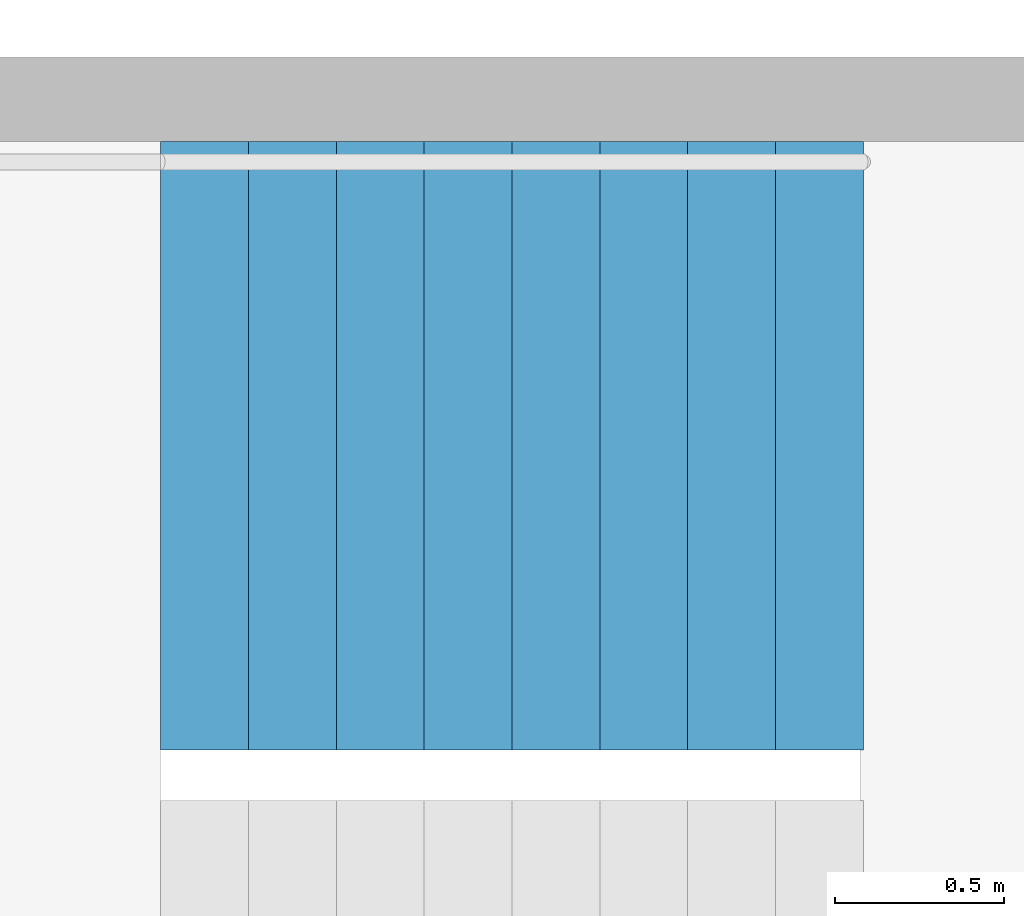
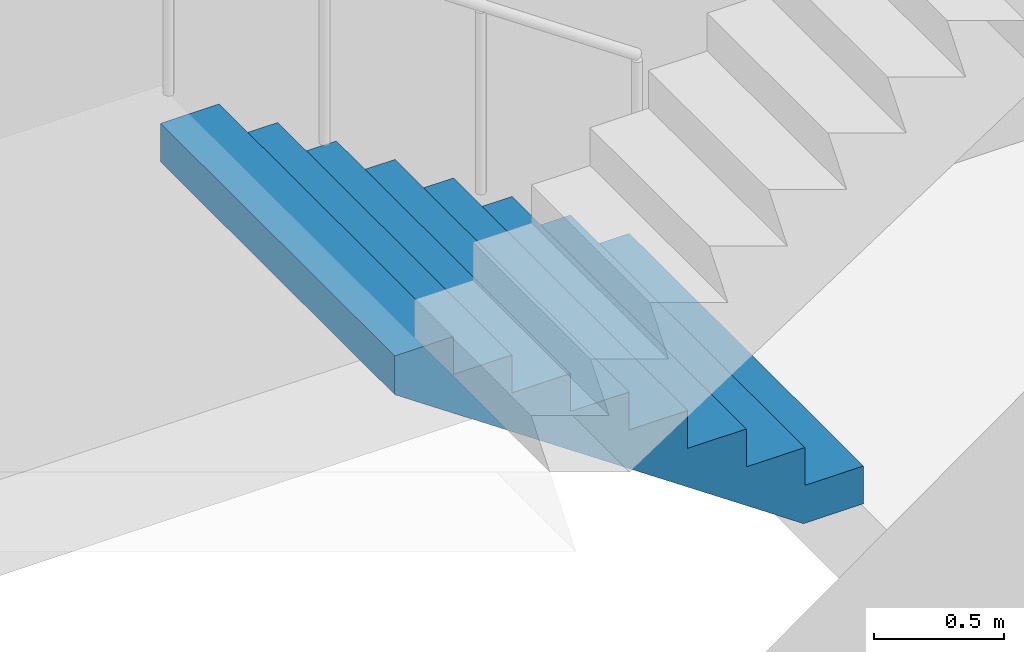
# One storey, part 19 of 26: 1 stair flight, 1 element without a shape of its own.
"""IFC4 building model written with IfcOpenShell, lengths in metres."""

import ifcopenshell
import ifcopenshell.guid

model = None  # the IFC model being written
_history = None  # IfcOwnerHistory: only IFC2X3 demands one
_inside = {}  # id of a spatial element -> (the spatial element, [elements in it])
_under = {}  # id of a project, library or spatial element -> (it, [spatial elements below it])
_declared = {}  # id of a project -> (the project, [libraries it declares])
_typed = {}  # id of a type object -> (the type object, [elements of that type])
_made_of = {}  # id of a material, layer set ... -> (it, [elements and type objects made of it])


def new_model(schema):
    """Start an empty IFC model of exactly this schema.

    Asked for "IFC4X3", IfcOpenShell would pick the latest addendum, in which some entities
    have other attributes; the version numbers below select the first issue.
    IFC2X3 requires an IfcOwnerHistory on every rooted entity: one is made here for all.
    """
    global model, _history
    if schema == "IFC4X3":
        model = ifcopenshell.file(schema_version=(4, 3, 0, 0))
    else:
        model = ifcopenshell.file(schema=schema)
    _inside.clear()
    _under.clear()
    _declared.clear()
    _typed.clear()
    _made_of.clear()
    _history = None
    if model.schema == "IFC2X3":
        org = make("IfcOrganization", Name="unknown")
        user = make(
            "IfcPersonAndOrganization",
            ThePerson=make("IfcPerson", FamilyName="unknown"),
            TheOrganization=org,
        )
        app = make(
            "IfcApplication",
            ApplicationDeveloper=org,
            Version="unknown",
            ApplicationFullName="unknown",
            ApplicationIdentifier="unknown",
        )
        _history = make(
            "IfcOwnerHistory",
            OwningUser=user,
            OwningApplication=app,
            ChangeAction="ADDED",
            CreationDate=0,
        )
    return model


def make(cls, **values):
    """One entity of the class cls with the attributes given. An attribute that is None is left unset."""
    return model.create_entity(
        cls, **{name: value for name, value in values.items() if value is not None}
    )


def rooted(cls, **values):
    """An entity with a GlobalId (a new one), such as an element, a storey or a relation."""
    return make(cls, GlobalId=ifcopenshell.guid.new(), OwnerHistory=_history, **values)


def si_unit(unit_type, name, prefix=None):
    """IfcSIUnit, for example si_unit("LENGTHUNIT", "METRE", prefix="MILLI")."""
    return make("IfcSIUnit", UnitType=unit_type, Prefix=prefix, Name=name)


def assignment(units):
    """IfcUnitAssignment: the units of a project."""
    return None if units is None else make("IfcUnitAssignment", Units=units)


def point(xyz):
    """IfcCartesianPoint."""
    return None if xyz is None else make("IfcCartesianPoint", Coordinates=xyz)


def direction(xyz):
    """IfcDirection."""
    return None if xyz is None else make("IfcDirection", DirectionRatios=xyz)


def frame(location, z_axis=None, x_axis=None):
    """IfcAxis2Placement3D, a coordinate frame: its origin and axes. An axis left out is left unset."""
    return make(
        "IfcAxis2Placement3D",
        Location=point(location),
        Axis=direction(z_axis),
        RefDirection=direction(x_axis),
    )


def origin():
    """The frame at (0, 0, 0) with its axes left unset."""
    return frame((0.0, 0.0, 0.0))


def place(relative_to, where):
    """IfcLocalPlacement: puts the frame where relative to a parent placement (None: the world)."""
    return make(
        "IfcLocalPlacement", PlacementRelTo=relative_to, RelativePlacement=where
    )


def context(
    kind, dimensions, precision=None, world=None, true_north=None, identifier=None
):
    """IfcGeometricRepresentationContext, for example the 3D "Model" context."""
    return make(
        "IfcGeometricRepresentationContext",
        ContextIdentifier=identifier,
        ContextType=kind,
        CoordinateSpaceDimension=dimensions,
        Precision=precision,
        WorldCoordinateSystem=world,
        TrueNorth=true_north,
    )


def subcontext(parent, identifier, kind, view, scale=None):
    """IfcGeometricRepresentationSubContext, for example "Body" below "Model"."""
    return make(
        "IfcGeometricRepresentationSubContext",
        ContextIdentifier=identifier,
        ContextType=kind,
        ParentContext=parent,
        TargetScale=scale,
        TargetView=view,
    )


def project(units=None, contexts=None):
    """IfcProject with its units and contexts."""
    return rooted(
        "IfcProject",
        Name="project",
        RepresentationContexts=contexts,
        UnitsInContext=assignment(units),
    )


def spatial(cls, under=None, at=None, **own):
    """A site, building, storey or space (cls), placed at a placement, below another one or the project."""
    s = rooted(cls, ObjectPlacement=at, **own)
    if under is not None:
        _under.setdefault(under.id(), (under, []))[1].append(s)
    return s


def point_list(points):
    """IfcCartesianPointList2D or 3D."""
    cls = (
        "IfcCartesianPointList2D" if len(points[0]) == 2 else "IfcCartesianPointList3D"
    )
    return make(cls, CoordList=points)


def triangles(points, corners, closed=None, point_numbers=None):
    """IfcTriangulatedFaceSet: each triangle names its three corners, points numbered from 1."""
    return make(
        "IfcTriangulatedFaceSet",
        Coordinates=point_list(points),
        Closed=closed,
        CoordIndex=corners,
        PnIndex=point_numbers,
    )


def shape(context_of_items, identifier, shape_type, items):
    """IfcShapeRepresentation: the items that make up one representation, for example the "Body"."""
    return make(
        "IfcShapeRepresentation",
        ContextOfItems=context_of_items,
        RepresentationIdentifier=identifier,
        RepresentationType=shape_type,
        Items=items,
    )


def material(Name=None, Category=None):
    """IfcMaterial."""
    return make("IfcMaterial", Name=Name, Category=Category)


def made_of(thing, what):
    """Note that an element or type object is made of a material, layer set ...; save() writes the relation."""
    if what is not None:
        _made_of.setdefault(what.id(), (what, []))[1].append(thing)
    return thing


def type_object(cls, material=None, **own):
    """A type object (cls), such as IfcWallType, which elements share."""
    return made_of(rooted(cls, **own), material)


def element(
    cls,
    number,
    at=None,
    inside=None,
    cuts=None,
    type_object=None,
    material=None,
    context=None,
    identifier="Body",
    shape_type=None,
    held_by="IfcProductDefinitionShape",
    body=None,
    shapes=None,
    **own,
):
    """One element of the class cls, such as IfcWall. Its Tag is "e" and its number.

    at: its placement. inside: the storey or other place that contains it. cuts: it is an
    opening in that element (IfcRelVoidsElement). A single representation is given by context,
    identifier, shape_type and body (its items); several are given by shapes. held_by: the class
    of the entity that holds the representations. save() writes the other relations.
    """
    e = rooted(cls, Tag="e%d" % number, ObjectPlacement=at, **own)
    if body is not None:
        shapes = [shape(context, identifier, shape_type, body)]
    if shapes is not None:
        e.Representation = make(held_by, Representations=shapes)
    if inside is not None:
        _inside.setdefault(inside.id(), (inside, []))[1].append(e)
    if cuts is not None:
        rooted(
            "IfcRelVoidsElement", RelatingBuildingElement=cuts, RelatedOpeningElement=e
        )
    if type_object is not None:
        _typed.setdefault(type_object.id(), (type_object, []))[1].append(e)
    return made_of(e, material)


def aggregate(whole, parts):
    """IfcRelAggregates: a whole, such as a stair, and the parts it consists of."""
    return rooted("IfcRelAggregates", RelatingObject=whole, RelatedObjects=parts)


def save(model, path):
    """Write the relations noted so far, then the file.

    IfcRelAggregates (storeys below a building ...), IfcRelContainedInSpatialStructure (elements
    in a storey), IfcRelDefinesByType, IfcRelAssociatesMaterial and IfcRelDeclares: one each for
    every whole, place, type object, material and project.
    """
    for whole, parts in _under.values():
        aggregate(whole, parts)
    for where, things in _inside.values():
        rooted(
            "IfcRelContainedInSpatialStructure",
            RelatedElements=things,
            RelatingStructure=where,
        )
    for kind, things in _typed.values():
        rooted("IfcRelDefinesByType", RelatedObjects=things, RelatingType=kind)
    for what, things in _made_of.values():
        rooted("IfcRelAssociatesMaterial", RelatedObjects=things, RelatingMaterial=what)
    for by, libraries in _declared.values():
        rooted("IfcRelDeclares", RelatingContext=by, RelatedDefinitions=libraries)
    model.write(path)


model = new_model("IFC4")

# Units and contexts
model_context = context("Model", 3, precision=1e-05, world=origin(), true_north=direction((0.0, 1.0)))
body_context = subcontext(model_context, "Body", "Model", "MODEL_VIEW")
ifc_project = project(units=[si_unit("LENGTHUNIT", "METRE"), si_unit("AREAUNIT", "SQUARE_METRE"), si_unit("VOLUMEUNIT", "CUBIC_METRE"), si_unit("PLANEANGLEUNIT", "RADIAN"), si_unit("MASSUNIT", "GRAM", prefix="KILO")], contexts=[model_context])

# Site, building, storey
site_placement = place(None, origin())
site = spatial("IfcSite", under=ifc_project, at=site_placement, CompositionType="ELEMENT")
building_placement = place(site_placement, origin())
building = spatial("IfcBuilding", under=site, at=building_placement, Name="Hakoniwa Tower and Hamabe Station Hall", CompositionType="ELEMENT")
storey_placement = place(building_placement, frame((0.0, 0.0, 215.39990234375)))
storey = spatial("IfcBuildingStorey", under=building, at=storey_placement, Name="L61", CompositionType="ELEMENT", Elevation=215.39990234375)

# Stair, stair flight
ifc_material_1 = material(Name="Concrete C40", Category="concrete")
stair_type = type_object("IfcStairType", Name="ESCAPE STAIR 1800", PredefinedType="HALF_TURN_STAIR", material=ifc_material_1)
stair_placement = place(storey_placement, origin())
stair = element("IfcStair", 1, at=stair_placement, inside=storey, type_object=stair_type, Name="Escape stair ST-2 L61", PredefinedType="HALF_TURN_STAIR")
ifc_material_2 = material(Name="Concrete C40", Category="concrete")
stair_flight_type = type_object("IfcStairFlightType", Name="STAIR FLIGHT 1800", PredefinedType="STRAIGHT", material=ifc_material_2)
stair_flight_placement = place(storey_placement, frame((-23.39990234375, -4.64990234375, 0.0), z_axis=(0.0, 0.0, 1.0), x_axis=(-1.0, 0.0, 0.0)))
stair_flight = element("IfcStairFlight", 2, at=stair_flight_placement, type_object=stair_flight_type, Name="ST-2 flight 1", NumberOfRisers=9, NumberOfTreads=8, PredefinedType="STRAIGHT", RiserHeight=0.177777778, TreadLength=0.26, context=body_context, shape_type="Tessellation", body=[
    triangles([(0.0, 0.89990234375, 0.0), (0.260009765625, 0.89990234375, 0.0), (0.265625, 0.89990234375, 0.0), (0.52001953125, 0.89990234375, 0.174072265625), (0.780029296875, 0.89990234375, 0.351806640625), (1.0400390625, 0.89990234375, 0.529541015625), (1.300048828125, 0.89990234375, 0.707275390625), (1.56005859375, 0.89990234375, 0.885009765625), (1.820068359375, 0.89990234375, 1.062744140625), (2.080078125, 0.89990234375, 1.24072265625), (2.080078125, 0.89990234375, 1.422119140625), (1.820068359375, 0.89990234375, 1.422119140625), (1.820068359375, 0.89990234375, 1.244384765625), (1.56005859375, 0.89990234375, 1.244384765625), (1.56005859375, 0.89990234375, 1.066650390625), (1.300048828125, 0.89990234375, 1.066650390625), (1.300048828125, 0.89990234375, 0.888916015625), (1.0400390625, 0.89990234375, 0.888916015625), (1.0400390625, 0.89990234375, 0.711181640625), (0.780029296875, 0.89990234375, 0.711181640625), (0.780029296875, 0.89990234375, 0.533447265625), (0.52001953125, 0.89990234375, 0.533447265625), (0.52001953125, 0.89990234375, 0.35546875), (0.265625, 0.89990234375, 0.35546875), (0.260009765625, 0.89990234375, 0.35546875), (0.260009765625, 0.89990234375, 0.177734375), (0.0, 0.89990234375, 0.177734375), (0.0, 0.06005859375, 0.0), (0.260009765625, 0.06005859375, 0.0), (0.265625, 0.06005859375, 0.0), (0.52001953125, 0.06005859375, 0.174072265625), (0.780029296875, 0.06005859375, 0.351806640625), (1.0400390625, 0.06005859375, 0.529541015625), (1.300048828125, 0.06005859375, 0.707275390625), (1.56005859375, 0.06005859375, 0.885009765625), (1.820068359375, 0.06005859375, 1.062744140625), (2.080078125, 0.06005859375, 1.24072265625), (2.080078125, 0.06005859375, 1.422119140625), (1.820068359375, 0.06005859375, 1.422119140625), (1.820068359375, 0.06005859375, 1.244384765625), (1.56005859375, 0.06005859375, 1.244384765625), (1.56005859375, 0.06005859375, 1.066650390625), (1.300048828125, 0.06005859375, 1.066650390625), (1.300048828125, 0.06005859375, 0.888916015625), (1.0400390625, 0.06005859375, 0.888916015625), (1.0400390625, 0.06005859375, 0.711181640625), (0.780029296875, 0.06005859375, 0.711181640625), (0.780029296875, 0.06005859375, 0.533447265625), (0.52001953125, 0.06005859375, 0.533447265625), (0.52001953125, 0.06005859375, 0.35546875), (0.265625, 0.06005859375, 0.35546875), (0.260009765625, 0.06005859375, 0.35546875), (0.260009765625, 0.06005859375, 0.177734375), (0.0, 0.06005859375, 0.177734375), (0.0, 0.04296875, 0.0), (0.260009765625, 0.04296875, 0.0), (0.265625, 0.04296875, 0.0), (0.52001953125, 0.04296875, 0.174072265625), (0.780029296875, 0.04296875, 0.351806640625), (1.0400390625, 0.04296875, 0.529541015625), (1.300048828125, 0.04296875, 0.707275390625), (1.56005859375, 0.04296875, 0.885009765625), (1.820068359375, 0.04296875, 1.062744140625), (2.080078125, 0.04296875, 1.24072265625), (2.080078125, 0.04296875, 1.422119140625), (1.820068359375, 0.04296875, 1.422119140625), (1.820068359375, 0.04296875, 1.244384765625), (1.56005859375, 0.04296875, 1.244384765625), (1.56005859375, 0.04296875, 1.066650390625), (1.300048828125, 0.04296875, 1.066650390625), (1.300048828125, 0.04296875, 0.888916015625), (1.0400390625, 0.04296875, 0.888916015625), (1.0400390625, 0.04296875, 0.711181640625), (0.780029296875, 0.04296875, 0.711181640625), (0.780029296875, 0.04296875, 0.533447265625), (0.52001953125, 0.04296875, 0.533447265625), (0.52001953125, 0.04296875, 0.35546875), (0.265625, 0.04296875, 0.35546875), (0.260009765625, 0.04296875, 0.35546875), (0.260009765625, 0.04296875, 0.177734375), (0.0, 0.04296875, 0.177734375), (0.0, 0.025634765625, 0.0), (0.260009765625, 0.025634765625, 0.0), (0.265625, 0.025634765625, 0.0), (0.52001953125, 0.025634765625, 0.174072265625), (0.780029296875, 0.025634765625, 0.351806640625), (1.0400390625, 0.025634765625, 0.529541015625), (1.300048828125, 0.025634765625, 0.707275390625), (1.56005859375, 0.025634765625, 0.885009765625), (1.820068359375, 0.025634765625, 1.062744140625), (2.080078125, 0.025634765625, 1.24072265625), (2.080078125, 0.025634765625, 1.422119140625), (1.820068359375, 0.025634765625, 1.422119140625), (1.820068359375, 0.025634765625, 1.244384765625), (1.56005859375, 0.025634765625, 1.244384765625), (1.56005859375, 0.025634765625, 1.066650390625), (1.300048828125, 0.025634765625, 1.066650390625), (1.300048828125, 0.025634765625, 0.888916015625), (1.0400390625, 0.025634765625, 0.888916015625), (1.0400390625, 0.025634765625, 0.711181640625), (0.780029296875, 0.025634765625, 0.711181640625), (0.780029296875, 0.025634765625, 0.533447265625), (0.52001953125, 0.025634765625, 0.533447265625), (0.52001953125, 0.025634765625, 0.35546875), (0.265625, 0.025634765625, 0.35546875), (0.260009765625, 0.025634765625, 0.35546875), (0.260009765625, 0.025634765625, 0.177734375), (0.0, 0.025634765625, 0.177734375), (0.0, 0.008544921875, 0.0), (0.260009765625, 0.008544921875, 0.0), (0.265625, 0.008544921875, 0.0), (0.52001953125, 0.008544921875, 0.174072265625), (0.780029296875, 0.008544921875, 0.351806640625), (1.0400390625, 0.008544921875, 0.529541015625), (1.300048828125, 0.008544921875, 0.707275390625), (1.56005859375, 0.008544921875, 0.885009765625), (1.820068359375, 0.008544921875, 1.062744140625), (2.080078125, 0.008544921875, 1.24072265625), (2.080078125, 0.008544921875, 1.422119140625), (1.820068359375, 0.008544921875, 1.422119140625), (1.820068359375, 0.008544921875, 1.244384765625), (1.56005859375, 0.008544921875, 1.244384765625), (1.56005859375, 0.008544921875, 1.066650390625), (1.300048828125, 0.008544921875, 1.066650390625), (1.300048828125, 0.008544921875, 0.888916015625), (1.0400390625, 0.008544921875, 0.888916015625), (1.0400390625, 0.008544921875, 0.711181640625), (0.780029296875, 0.008544921875, 0.711181640625), (0.780029296875, 0.008544921875, 0.533447265625), (0.52001953125, 0.008544921875, 0.533447265625), (0.52001953125, 0.008544921875, 0.35546875), (0.265625, 0.008544921875, 0.35546875), (0.260009765625, 0.008544921875, 0.35546875), (0.260009765625, 0.008544921875, 0.177734375), (0.0, 0.008544921875, 0.177734375), (0.0, -0.008544921875, 0.0), (0.260009765625, -0.008544921875, 0.0), (0.265625, -0.008544921875, 0.0), (0.52001953125, -0.008544921875, 0.174072265625), (0.780029296875, -0.008544921875, 0.351806640625), (1.0400390625, -0.008544921875, 0.529541015625), (1.300048828125, -0.008544921875, 0.707275390625), (1.56005859375, -0.008544921875, 0.885009765625), (1.820068359375, -0.008544921875, 1.062744140625), (2.080078125, -0.008544921875, 1.24072265625), (2.080078125, -0.008544921875, 1.422119140625), (1.820068359375, -0.008544921875, 1.422119140625), (1.820068359375, -0.008544921875, 1.244384765625), (1.56005859375, -0.008544921875, 1.244384765625), (1.56005859375, -0.008544921875, 1.066650390625), (1.300048828125, -0.008544921875, 1.066650390625), (1.300048828125, -0.008544921875, 0.888916015625), (1.0400390625, -0.008544921875, 0.888916015625), (1.0400390625, -0.008544921875, 0.711181640625), (0.780029296875, -0.008544921875, 0.711181640625), (0.780029296875, -0.008544921875, 0.533447265625), (0.52001953125, -0.008544921875, 0.533447265625), (0.52001953125, -0.008544921875, 0.35546875), (0.265625, -0.008544921875, 0.35546875), (0.260009765625, -0.008544921875, 0.35546875), (0.260009765625, -0.008544921875, 0.177734375), (0.0, -0.008544921875, 0.177734375), (0.0, -0.025634765625, 0.0), (0.260009765625, -0.025634765625, 0.0), (0.265625, -0.025634765625, 0.0), (0.52001953125, -0.025634765625, 0.174072265625), (0.780029296875, -0.025634765625, 0.351806640625), (1.0400390625, -0.025634765625, 0.529541015625), (1.300048828125, -0.025634765625, 0.707275390625), (1.56005859375, -0.025634765625, 0.885009765625), (1.820068359375, -0.025634765625, 1.062744140625), (2.080078125, -0.025634765625, 1.24072265625), (2.080078125, -0.025634765625, 1.422119140625), (1.820068359375, -0.025634765625, 1.422119140625), (1.820068359375, -0.025634765625, 1.244384765625), (1.56005859375, -0.025634765625, 1.244384765625), (1.56005859375, -0.025634765625, 1.066650390625), (1.300048828125, -0.025634765625, 1.066650390625), (1.300048828125, -0.025634765625, 0.888916015625), (1.0400390625, -0.025634765625, 0.888916015625), (1.0400390625, -0.025634765625, 0.711181640625), (0.780029296875, -0.025634765625, 0.711181640625), (0.780029296875, -0.025634765625, 0.533447265625), (0.52001953125, -0.025634765625, 0.533447265625), (0.52001953125, -0.025634765625, 0.35546875), (0.265625, -0.025634765625, 0.35546875), (0.260009765625, -0.025634765625, 0.35546875), (0.260009765625, -0.025634765625, 0.177734375), (0.0, -0.025634765625, 0.177734375), (0.0, -0.04296875, 0.0), (0.260009765625, -0.04296875, 0.0), (0.265625, -0.04296875, 0.0), (0.52001953125, -0.04296875, 0.174072265625), (0.780029296875, -0.04296875, 0.351806640625), (1.0400390625, -0.04296875, 0.529541015625), (1.300048828125, -0.04296875, 0.707275390625), (1.56005859375, -0.04296875, 0.885009765625), (1.820068359375, -0.04296875, 1.062744140625), (2.080078125, -0.04296875, 1.24072265625), (2.080078125, -0.04296875, 1.422119140625), (1.820068359375, -0.04296875, 1.422119140625), (1.820068359375, -0.04296875, 1.244384765625), (1.56005859375, -0.04296875, 1.244384765625), (1.56005859375, -0.04296875, 1.066650390625), (1.300048828125, -0.04296875, 1.066650390625), (1.300048828125, -0.04296875, 0.888916015625), (1.0400390625, -0.04296875, 0.888916015625), (1.0400390625, -0.04296875, 0.711181640625), (0.780029296875, -0.04296875, 0.711181640625), (0.780029296875, -0.04296875, 0.533447265625), (0.52001953125, -0.04296875, 0.533447265625), (0.52001953125, -0.04296875, 0.35546875), (0.265625, -0.04296875, 0.35546875), (0.260009765625, -0.04296875, 0.35546875), (0.260009765625, -0.04296875, 0.177734375), (0.0, -0.04296875, 0.177734375), (0.0, -0.06005859375, 0.0), (0.260009765625, -0.06005859375, 0.0), (0.265625, -0.06005859375, 0.0), (0.52001953125, -0.06005859375, 0.174072265625), (0.780029296875, -0.06005859375, 0.351806640625), (1.0400390625, -0.06005859375, 0.529541015625), (1.300048828125, -0.06005859375, 0.707275390625), (1.56005859375, -0.06005859375, 0.885009765625), (1.820068359375, -0.06005859375, 1.062744140625), (2.080078125, -0.06005859375, 1.24072265625), (2.080078125, -0.06005859375, 1.422119140625), (1.820068359375, -0.06005859375, 1.422119140625), (1.820068359375, -0.06005859375, 1.244384765625), (1.56005859375, -0.06005859375, 1.244384765625), (1.56005859375, -0.06005859375, 1.066650390625), (1.300048828125, -0.06005859375, 1.066650390625), (1.300048828125, -0.06005859375, 0.888916015625), (1.0400390625, -0.06005859375, 0.888916015625), (1.0400390625, -0.06005859375, 0.711181640625), (0.780029296875, -0.06005859375, 0.711181640625), (0.780029296875, -0.06005859375, 0.533447265625), (0.52001953125, -0.06005859375, 0.533447265625), (0.52001953125, -0.06005859375, 0.35546875), (0.265625, -0.06005859375, 0.35546875), (0.260009765625, -0.06005859375, 0.35546875), (0.260009765625, -0.06005859375, 0.177734375), (0.0, -0.06005859375, 0.177734375), (0.0, -0.89990234375, 0.0), (0.260009765625, -0.89990234375, 0.0), (0.265625, -0.89990234375, 0.0), (0.52001953125, -0.89990234375, 0.174072265625), (0.780029296875, -0.89990234375, 0.351806640625), (1.0400390625, -0.89990234375, 0.529541015625), (1.300048828125, -0.89990234375, 0.707275390625), (1.56005859375, -0.89990234375, 0.885009765625), (1.820068359375, -0.89990234375, 1.062744140625), (2.080078125, -0.89990234375, 1.24072265625), (2.080078125, -0.89990234375, 1.422119140625), (1.820068359375, -0.89990234375, 1.422119140625), (1.820068359375, -0.89990234375, 1.244384765625), (1.56005859375, -0.89990234375, 1.244384765625), (1.56005859375, -0.89990234375, 1.066650390625), (1.300048828125, -0.89990234375, 1.066650390625), (1.300048828125, -0.89990234375, 0.888916015625), (1.0400390625, -0.89990234375, 0.888916015625), (1.0400390625, -0.89990234375, 0.711181640625), (0.780029296875, -0.89990234375, 0.711181640625), (0.780029296875, -0.89990234375, 0.533447265625), (0.52001953125, -0.89990234375, 0.533447265625), (0.52001953125, -0.89990234375, 0.35546875), (0.265625, -0.89990234375, 0.35546875), (0.260009765625, -0.89990234375, 0.35546875), (0.260009765625, -0.89990234375, 0.177734375), (0.0, -0.89990234375, 0.177734375)], [[2, 27, 26], [245, 269, 270], [2, 1, 27], [245, 270, 244], [3, 25, 24], [246, 267, 268], [3, 26, 25], [246, 268, 269], [3, 2, 26], [246, 269, 245], [4, 24, 23], [247, 266, 267], [4, 3, 24], [247, 267, 246], [5, 22, 21], [248, 264, 265], [5, 23, 22], [248, 265, 266], [5, 4, 23], [248, 266, 247], [6, 20, 19], [249, 262, 263], [6, 21, 20], [249, 263, 264], [6, 5, 21], [249, 264, 248], [7, 18, 17], [250, 260, 261], [7, 19, 18], [250, 261, 262], [7, 6, 19], [250, 262, 249], [8, 16, 15], [251, 258, 259], [8, 17, 16], [251, 259, 260], [8, 7, 17], [251, 260, 250], [9, 14, 13], [252, 256, 257], [9, 15, 14], [252, 257, 258], [9, 8, 15], [252, 258, 251], [10, 12, 11], [253, 254, 255], [10, 13, 12], [253, 255, 256], [10, 9, 13], [253, 256, 252], [1, 2, 29], [1, 29, 28], [28, 29, 56], [28, 56, 55], [55, 56, 83], [55, 83, 82], [82, 83, 110], [82, 110, 109], [109, 110, 137], [109, 137, 136], [136, 137, 164], [136, 164, 163], [163, 164, 191], [163, 191, 190], [190, 191, 218], [190, 218, 217], [217, 218, 245], [217, 245, 244], [2, 3, 30], [2, 30, 29], [29, 30, 57], [29, 57, 56], [56, 57, 84], [56, 84, 83], [83, 84, 111], [83, 111, 110], [110, 111, 138], [110, 138, 137], [137, 138, 165], [137, 165, 164], [164, 165, 192], [164, 192, 191], [191, 192, 219], [191, 219, 218], [218, 219, 246], [218, 246, 245], [3, 4, 31], [3, 31, 30], [30, 31, 58], [30, 58, 57], [57, 58, 85], [57, 85, 84], [84, 85, 112], [84, 112, 111], [111, 112, 139], [111, 139, 138], [138, 139, 166], [138, 166, 165], [165, 166, 193], [165, 193, 192], [192, 193, 220], [192, 220, 219], [219, 220, 247], [219, 247, 246], [4, 5, 32], [4, 32, 31], [31, 32, 59], [31, 59, 58], [58, 59, 86], [58, 86, 85], [85, 86, 113], [85, 113, 112], [112, 113, 140], [112, 140, 139], [139, 140, 167], [139, 167, 166], [166, 167, 194], [166, 194, 193], [193, 194, 221], [193, 221, 220], [220, 221, 248], [220, 248, 247], [5, 6, 33], [5, 33, 32], [32, 33, 60], [32, 60, 59], [59, 60, 87], [59, 87, 86], [86, 87, 114], [86, 114, 113], [113, 114, 141], [113, 141, 140], [140, 141, 168], [140, 168, 167], [167, 168, 195], [167, 195, 194], [194, 195, 222], [194, 222, 221], [221, 222, 249], [221, 249, 248], [6, 7, 34], [6, 34, 33], [33, 34, 61], [33, 61, 60], [60, 61, 88], [60, 88, 87], [87, 88, 115], [87, 115, 114], [114, 115, 142], [114, 142, 141], [141, 142, 169], [141, 169, 168], [168, 169, 196], [168, 196, 195], [195, 196, 223], [195, 223, 222], [222, 223, 250], [222, 250, 249], [7, 8, 35], [7, 35, 34], [34, 35, 62], [34, 62, 61], [61, 62, 89], [61, 89, 88], [88, 89, 116], [88, 116, 115], [115, 116, 143], [115, 143, 142], [142, 143, 170], [142, 170, 169], [169, 170, 197], [169, 197, 196], [196, 197, 224], [196, 224, 223], [223, 224, 251], [223, 251, 250], [8, 9, 36], [8, 36, 35], [35, 36, 63], [35, 63, 62], [62, 63, 90], [62, 90, 89], [89, 90, 117], [89, 117, 116], [116, 117, 144], [116, 144, 143], [143, 144, 171], [143, 171, 170], [170, 171, 198], [170, 198, 197], [197, 198, 225], [197, 225, 224], [224, 225, 252], [224, 252, 251], [9, 10, 37], [9, 37, 36], [36, 37, 64], [36, 64, 63], [63, 64, 91], [63, 91, 90], [90, 91, 118], [90, 118, 117], [117, 118, 145], [117, 145, 144], [144, 145, 172], [144, 172, 171], [171, 172, 199], [171, 199, 198], [198, 199, 226], [198, 226, 225], [225, 226, 253], [225, 253, 252], [10, 11, 38], [10, 38, 37], [37, 38, 65], [37, 65, 64], [64, 65, 92], [64, 92, 91], [91, 92, 119], [91, 119, 118], [118, 119, 146], [118, 146, 145], [145, 146, 173], [145, 173, 172], [172, 173, 200], [172, 200, 199], [199, 200, 227], [199, 227, 226], [226, 227, 254], [226, 254, 253], [11, 12, 39], [11, 39, 38], [38, 39, 66], [38, 66, 65], [65, 66, 93], [65, 93, 92], [92, 93, 120], [92, 120, 119], [119, 120, 147], [119, 147, 146], [146, 147, 174], [146, 174, 173], [173, 174, 201], [173, 201, 200], [200, 201, 228], [200, 228, 227], [227, 228, 255], [227, 255, 254], [12, 13, 40], [12, 40, 39], [39, 40, 67], [39, 67, 66], [66, 67, 94], [66, 94, 93], [93, 94, 121], [93, 121, 120], [120, 121, 148], [120, 148, 147], [147, 148, 175], [147, 175, 174], [174, 175, 202], [174, 202, 201], [201, 202, 229], [201, 229, 228], [228, 229, 256], [228, 256, 255], [13, 14, 41], [13, 41, 40], [40, 41, 68], [40, 68, 67], [67, 68, 95], [67, 95, 94], [94, 95, 122], [94, 122, 121], [121, 122, 149], [121, 149, 148], [148, 149, 176], [148, 176, 175], [175, 176, 203], [175, 203, 202], [202, 203, 230], [202, 230, 229], [229, 230, 257], [229, 257, 256], [14, 15, 42], [14, 42, 41], [41, 42, 69], [41, 69, 68], [68, 69, 96], [68, 96, 95], [95, 96, 123], [95, 123, 122], [122, 123, 150], [122, 150, 149], [149, 150, 177], [149, 177, 176], [176, 177, 204], [176, 204, 203], [203, 204, 231], [203, 231, 230], [230, 231, 258], [230, 258, 257], [15, 16, 43], [15, 43, 42], [42, 43, 70], [42, 70, 69], [69, 70, 97], [69, 97, 96], [96, 97, 124], [96, 124, 123], [123, 124, 151], [123, 151, 150], [150, 151, 178], [150, 178, 177], [177, 178, 205], [177, 205, 204], [204, 205, 232], [204, 232, 231], [231, 232, 259], [231, 259, 258], [16, 17, 44], [16, 44, 43], [43, 44, 71], [43, 71, 70], [70, 71, 98], [70, 98, 97], [97, 98, 125], [97, 125, 124], [124, 125, 152], [124, 152, 151], [151, 152, 179], [151, 179, 178], [178, 179, 206], [178, 206, 205], [205, 206, 233], [205, 233, 232], [232, 233, 260], [232, 260, 259], [17, 18, 45], [17, 45, 44], [44, 45, 72], [44, 72, 71], [71, 72, 99], [71, 99, 98], [98, 99, 126], [98, 126, 125], [125, 126, 153], [125, 153, 152], [152, 153, 180], [152, 180, 179], [179, 180, 207], [179, 207, 206], [206, 207, 234], [206, 234, 233], [233, 234, 261], [233, 261, 260], [18, 19, 46], [18, 46, 45], [45, 46, 73], [45, 73, 72], [72, 73, 100], [72, 100, 99], [99, 100, 127], [99, 127, 126], [126, 127, 154], [126, 154, 153], [153, 154, 181], [153, 181, 180], [180, 181, 208], [180, 208, 207], [207, 208, 235], [207, 235, 234], [234, 235, 262], [234, 262, 261], [19, 20, 47], [19, 47, 46], [46, 47, 74], [46, 74, 73], [73, 74, 101], [73, 101, 100], [100, 101, 128], [100, 128, 127], [127, 128, 155], [127, 155, 154], [154, 155, 182], [154, 182, 181], [181, 182, 209], [181, 209, 208], [208, 209, 236], [208, 236, 235], [235, 236, 263], [235, 263, 262], [20, 21, 48], [20, 48, 47], [47, 48, 75], [47, 75, 74], [74, 75, 102], [74, 102, 101], [101, 102, 129], [101, 129, 128], [128, 129, 156], [128, 156, 155], [155, 156, 183], [155, 183, 182], [182, 183, 210], [182, 210, 209], [209, 210, 237], [209, 237, 236], [236, 237, 264], [236, 264, 263], [21, 22, 49], [21, 49, 48], [48, 49, 76], [48, 76, 75], [75, 76, 103], [75, 103, 102], [102, 103, 130], [102, 130, 129], [129, 130, 157], [129, 157, 156], [156, 157, 184], [156, 184, 183], [183, 184, 211], [183, 211, 210], [210, 211, 238], [210, 238, 237], [237, 238, 265], [237, 265, 264], [22, 23, 50], [22, 50, 49], [49, 50, 77], [49, 77, 76], [76, 77, 104], [76, 104, 103], [103, 104, 131], [103, 131, 130], [130, 131, 158], [130, 158, 157], [157, 158, 185], [157, 185, 184], [184, 185, 212], [184, 212, 211], [211, 212, 239], [211, 239, 238], [238, 239, 266], [238, 266, 265], [23, 24, 51], [23, 51, 50], [50, 51, 78], [50, 78, 77], [77, 78, 105], [77, 105, 104], [104, 105, 132], [104, 132, 131], [131, 132, 159], [131, 159, 158], [158, 159, 186], [158, 186, 185], [185, 186, 213], [185, 213, 212], [212, 213, 240], [212, 240, 239], [239, 240, 267], [239, 267, 266], [24, 25, 52], [24, 52, 51], [51, 52, 79], [51, 79, 78], [78, 79, 106], [78, 106, 105], [105, 106, 133], [105, 133, 132], [132, 133, 160], [132, 160, 159], [159, 160, 187], [159, 187, 186], [186, 187, 214], [186, 214, 213], [213, 214, 241], [213, 241, 240], [240, 241, 268], [240, 268, 267], [25, 26, 53], [25, 53, 52], [52, 53, 80], [52, 80, 79], [79, 80, 107], [79, 107, 106], [106, 107, 134], [106, 134, 133], [133, 134, 161], [133, 161, 160], [160, 161, 188], [160, 188, 187], [187, 188, 215], [187, 215, 214], [214, 215, 242], [214, 242, 241], [241, 242, 269], [241, 269, 268], [26, 27, 54], [26, 54, 53], [53, 54, 81], [53, 81, 80], [80, 81, 108], [80, 108, 107], [107, 108, 135], [107, 135, 134], [134, 135, 162], [134, 162, 161], [161, 162, 189], [161, 189, 188], [188, 189, 216], [188, 216, 215], [215, 216, 243], [215, 243, 242], [242, 243, 270], [242, 270, 269], [27, 1, 28], [27, 28, 54], [54, 28, 55], [54, 55, 81], [81, 55, 82], [81, 82, 108], [108, 82, 109], [108, 109, 135], [135, 109, 136], [135, 136, 162], [162, 136, 163], [162, 163, 189], [189, 163, 190], [189, 190, 216], [216, 190, 217], [216, 217, 243], [243, 217, 244], [243, 244, 270]], closed=True),
])
aggregate(stair, [stair_flight])

save(model, "model.ifc")
